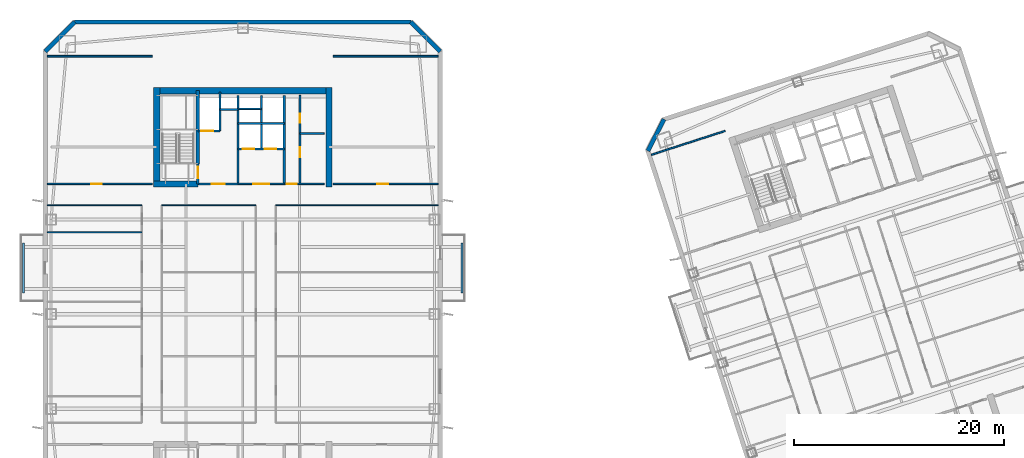
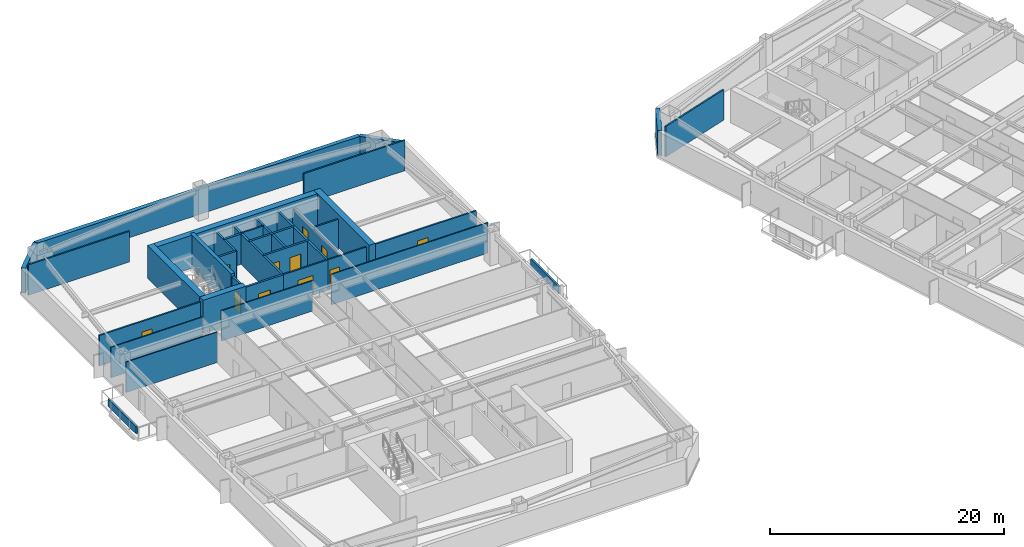
# One storey, part 7 of 17: 35 walls, 11 doors, 11 openings.
"""IFC4 building model written with IfcOpenShell, lengths in metres."""

from ifc_helpers import new_model, si_unit, direction, frame, frame_2d, origin, place, context, subcontext, project, spatial, rectangle, extrude, material, layer, layer_set, type_object, element, fill, save


model = new_model("IFC4")

# Units and contexts
model_context = context("Model", 3, precision=1e-05, world=origin(), true_north=direction((0.0, 1.0)))
body_context = subcontext(model_context, "Body", "Model", "MODEL_VIEW")
ifc_project = project(units=[si_unit("LENGTHUNIT", "METRE"), si_unit("AREAUNIT", "SQUARE_METRE"), si_unit("VOLUMEUNIT", "CUBIC_METRE"), si_unit("PLANEANGLEUNIT", "RADIAN"), si_unit("MASSUNIT", "GRAM", prefix="KILO")], contexts=[model_context])

# Site, building, storey
site_placement = place(None, origin())
site = spatial("IfcSite", under=ifc_project, at=site_placement, CompositionType="ELEMENT")
building_placement = place(site_placement, origin())
building = spatial("IfcBuilding", under=site, at=building_placement, Name="Qiaolan Cultural Towers", CompositionType="ELEMENT")
storey_placement = place(building_placement, frame((0.0, 0.0, 142.60009765625)))
storey = spatial("IfcBuildingStorey", under=building, at=storey_placement, Name="L37", CompositionType="ELEMENT", Elevation=142.60009765625)

# Walls
ifc_material_1 = material(Name="Concrete C50", Category="concrete")
ifc_layer_1 = layer(ifc_material_1, 0.35009765625)
ifc_layer_set_1 = layer_set([ifc_layer_1], Name="Concrete C50")
wall_type_1 = type_object("IfcWallType", Name="WL-CORE-350", PredefinedType="SHEAR", material=ifc_layer_set_1)
wall_1_placement = place(storey_placement, frame((25.719970703125, 48.300048828125, 0.0), z_axis=(0.0, 0.0, 1.0), x_axis=(0.0, 1.0, 0.0)))
element("IfcWall", 1, at=wall_1_placement, inside=storey, type_object=wall_type_1, Name="L37 T1-CN Stair Core Dividing Web", PredefinedType="SHEAR", context=body_context, shape_type="SweptSolid", body=[
    extrude(rectangle(XDim=6.97998046875, YDim=0.35009765625, at=frame_2d((3.489990234375, 0.0))), origin(), (0.0, 0.0, 1.0), 3.449951171875),
])
ifc_material_2 = material(Name="Concrete C55", Category="concrete")
ifc_layer_2 = layer(ifc_material_2, 0.60009765625)
ifc_layer_set_2 = layer_set([ifc_layer_2], Name="Concrete C55")
wall_type_2 = type_object("IfcWallType", Name="WL-CORE-600", PredefinedType="SHEAR", material=ifc_layer_set_2)
wall_2_placement = place(storey_placement, frame((21.5, 55.280029296875, 0.0), z_axis=(0.0, 0.0, 1.0), x_axis=(1.0, 0.0, 0.0)))
element("IfcWall", 2, at=wall_2_placement, inside=storey, type_object=wall_type_2, Name="L37 T1-CN Outer Core Shear Wall", PredefinedType="SHEAR", context=body_context, shape_type="SweptSolid", body=[
    extrude(rectangle(XDim=17.0, YDim=0.60009765625, at=frame_2d((8.5, 0.0))), origin(), (0.0, 0.0, 1.0), 3.449951171875),
])
for number, where, z_axis, x_axis, name in (
    (3, (21.800048828125, 46.10009765625, 0.0), (0.0, 0.0, 1.0), (0.0, 1.0, 0.0), "L37 T1-CN West Core Shear Wall"),
    (4, (38.199951171875, 46.10009765625, 0.0), (0.0, 0.0, 1.0), (0.0, 1.0, 0.0), "L37 T1-CN East Core Shear Wall"),
):
    element("IfcWall", number, at=place(storey_placement, frame(where, z_axis=z_axis, x_axis=x_axis)), inside=storey, type_object=wall_type_2, Name=name, PredefinedType="SHEAR", context=body_context, shape_type="SweptSolid", body=[
        extrude(rectangle(XDim=9.47998046875, YDim=0.60009765625, at=frame_2d((4.739990234375, 0.0))), origin(), (0.0, 0.0, 1.0), 3.449951171875),
    ])
wall_3_placement = place(storey_placement, frame((21.5, 46.39990234375, 0.0), z_axis=(0.0, 0.0, 1.0), x_axis=(1.0, 0.0, 0.0)))
element("IfcWall", 5, at=wall_3_placement, inside=storey, type_object=wall_type_2, Name="L37 T1-CN Stair Front Shear Wall", PredefinedType="SHEAR", context=body_context, shape_type="SweptSolid", body=[
    extrude(rectangle(XDim=4.219970703125, YDim=0.60009765625, at=frame_2d((2.10986328125, 0.0))), origin(), (0.0, 0.0, 1.0), 3.449951171875),
])
ifc_material_3 = material(Name="Precast Concrete C50 Honed Stone Pier", Category="masonry")
ifc_layer_3 = layer(ifc_material_3, 0.39990234375)
ifc_layer_set_3 = layer_set([ifc_layer_3], Name="Precast Concrete C50 Honed Stone Pier")
wall_type_3 = type_object("IfcWallType", Name="WL-EXT-PIER-400", PredefinedType="SOLIDWALL", material=ifc_layer_set_3)
wall_4_placement = place(storey_placement, frame((11.199951171875, 59.0, 0.0), z_axis=(0.0, 0.0, 1.0), x_axis=(0.707106781187, 0.707106781187, 0.0)))
element("IfcWall", 6, at=wall_4_placement, inside=storey, type_object=wall_type_3, Name="L37 West Tower Precast Pier Facade Wall F2", PredefinedType="SOLIDWALL", context=body_context, shape_type="SweptSolid", body=[
    extrude(rectangle(XDim=3.9599609375, YDim=0.39990234375, at=frame_2d((1.97998046875, 0.0))), origin(), (0.0, 0.0, 1.0), 2.60986328125),
])
wall_5_placement = place(storey_placement, frame((14.0, 61.800048828125, 0.0), z_axis=(0.0, 0.0, 1.0), x_axis=(1.0, 0.0, 0.0)))
element("IfcWall", 7, at=wall_5_placement, inside=storey, type_object=wall_type_3, Name="L37 West Tower Precast Pier Facade Wall F3", PredefinedType="SOLIDWALL", context=body_context, shape_type="SweptSolid", body=[
    extrude(rectangle(XDim=32.0, YDim=0.39990234375, at=frame_2d((16.0, 0.0))), origin(), (0.0, 0.0, 1.0), 2.60986328125),
])
wall_6_placement = place(storey_placement, frame((46.0, 61.800048828125, 0.0), z_axis=(0.0, 0.0, 1.0), x_axis=(0.707106781187, -0.707106781187, 0.0)))
element("IfcWall", 8, at=wall_6_placement, inside=storey, type_object=wall_type_3, Name="L37 West Tower Precast Pier Facade Wall F4", PredefinedType="SOLIDWALL", context=body_context, shape_type="SweptSolid", body=[
    extrude(rectangle(XDim=3.9599609375, YDim=0.39990234375, at=frame_2d((1.97998046875, 0.0))), origin(), (0.0, 0.0, 1.0), 2.60986328125),
])
wall_7_placement = place(storey_placement, frame((68.550537109375, 49.531982421875, 0.0), z_axis=(0.0, 0.0, 1.0), x_axis=(0.454019523198, 0.890991735402, 0.0)))
element("IfcWall", 9, at=wall_7_placement, inside=storey, type_object=wall_type_3, Name="L37 East Tower Precast Pier Facade Wall F2", PredefinedType="SOLIDWALL", context=body_context, shape_type="SweptSolid", body=[
    extrude(rectangle(XDim=3.39404296875, YDim=0.39990234375, at=frame_2d((1.697021484375, 0.0))), origin(), (0.0, 0.0, 1.0), 2.60986328125),
])

# Wall, opening, door
ifc_material_4 = material(Name="Concrete C35 Fire Wall", Category="concrete")
ifc_layer_4 = layer(ifc_material_4, 0.199951171875)
ifc_layer_set_4 = layer_set([ifc_layer_4], Name="Concrete C35 Fire Wall")
wall_type_4 = type_object("IfcWallType", Name="WL-FIRE-200", PredefinedType="PARTITIONING", material=ifc_layer_set_4)
wall_8_placement = place(storey_placement, frame((25.719970703125, 46.39990234375, 0.0), z_axis=(0.0, 0.0, 1.0), x_axis=(0.0, 1.0, 0.0)))
wall_8 = element("IfcWall", 10, at=wall_8_placement, inside=storey, type_object=wall_type_4, Name="L37 T1-CN Smokeproof Stair Entry Wall", PredefinedType="PARTITIONING", context=body_context, shape_type="SweptSolid", body=[
    extrude(rectangle(XDim=1.900146484375, YDim=0.199951171875, at=frame_2d((0.9501953125, 0.0))), origin(), (0.0, 0.0, 1.0), 3.1748046875),
])
opening_1_placement = place(wall_8_placement, frame((0.52001953125, 0.0, 0.0)))
opening_1 = element("IfcOpeningElement", 11, at=opening_1_placement, cuts=wall_8, Name="Opening FD-04", PredefinedType="OPENING", context=body_context, shape_type="SweptSolid", body=[
    extrude(rectangle(XDim=1.10009765625, YDim=2.050048828125, at=frame_2d((0.550048828125, 1.02490234375))), frame((0.0, 0.10986328125, 0.0), z_axis=(0.0, -1.0, 0.0), x_axis=(1.0, 0.0, 0.0)), (0.0, 0.0, 1.0), 0.219970703125),
])
ifc_material_5 = material(Name="Galvanized Steel Command Fire Door", Category="steel")
door_type_1 = type_object("IfcDoorType", Name="DR-FD90-1100", OperationType="NOTDEFINED", PredefinedType="DOOR", material=ifc_material_5)
door_1_placement = place(opening_1_placement, origin())
door_1 = element("IfcDoor", 12, at=door_1_placement, inside=storey, type_object=door_type_1, Name="L37 ST-W2 Smokeproof Stair Fire Door", OperationType="SINGLE_SWING_LEFT", OverallHeight=2.050048828125, OverallWidth=1.10009765625, PredefinedType="DOOR", context=body_context, shape_type="SweptSolid", body=[
    extrude(rectangle(XDim=1.10009765625, YDim=2.050048828125, at=frame_2d((0.550048828125, 1.02490234375))), frame((0.0, 0.02490234375, 0.0), z_axis=(0.0, -1.0, 0.0), x_axis=(1.0, 0.0, 0.0)), (0.0, 0.0, 1.0), 0.050048828125),
])
fill(opening_1, door_1)

# Wall
wall_9_placement = place(storey_placement, frame((29.550048828125, 46.39990234375, 0.0), z_axis=(0.0, 0.0, 1.0), x_axis=(0.0, 1.0, 0.0)))
element("IfcWall", 13, at=wall_9_placement, inside=storey, type_object=wall_type_4, Name="L37 T1-CN Firefighting Zone Wall", PredefinedType="PARTITIONING", context=body_context, shape_type="SweptSolid", body=[
    extrude(rectangle(XDim=8.43017578125, YDim=0.199951171875, at=frame_2d((4.215087890625, 0.0))), origin(), (0.0, 0.0, 1.0), 3.1748046875),
])

# Wall, opening, door
wall_10_placement = place(storey_placement, frame((25.719970703125, 46.39990234375, 0.0), z_axis=(0.0, 0.0, 1.0), x_axis=(1.0, 0.0, 0.0)))
wall_10 = element("IfcWall", 14, at=wall_10_placement, inside=storey, type_object=wall_type_4, Name="L37 T1-CN Firefighting Lobby Front Wall", PredefinedType="PARTITIONING", context=body_context, shape_type="SweptSolid", body=[
    extrude(rectangle(XDim=3.830078125, YDim=0.199951171875, at=frame_2d((1.9150390625, 0.0))), origin(), (0.0, 0.0, 1.0), 3.1748046875),
])
opening_2_placement = place(wall_10_placement, frame((1.35009765625, 0.0, 0.0)))
opening_2 = element("IfcOpeningElement", 15, at=opening_2_placement, cuts=wall_10, Name="Opening FD-03", PredefinedType="OPENING", context=body_context, shape_type="SweptSolid", body=[
    extrude(rectangle(XDim=1.199951171875, YDim=2.050048828125, at=frame_2d((0.60009765625, 1.02490234375))), frame((0.0, 0.10986328125, 0.0), z_axis=(0.0, -1.0, 0.0), x_axis=(1.0, 0.0, 0.0)), (0.0, 0.0, 1.0), 0.219970703125),
])
ifc_material_6 = material(Name="Galvanized Steel Smokeproof Lobby Fire Door", Category="steel")
door_type_2 = type_object("IfcDoorType", Name="DR-FD90-1200", OperationType="NOTDEFINED", PredefinedType="DOOR", material=ifc_material_6)
door_2_placement = place(opening_2_placement, origin())
door_2 = element("IfcDoor", 16, at=door_2_placement, inside=storey, type_object=door_type_2, Name="L37 FFL-W2 Firefighting Lobby Fire Door", OperationType="SINGLE_SWING_LEFT", OverallHeight=2.050048828125, OverallWidth=1.199951171875, PredefinedType="DOOR", context=body_context, shape_type="SweptSolid", body=[
    extrude(rectangle(XDim=1.199951171875, YDim=2.050048828125, at=frame_2d((0.60009765625, 1.02490234375))), frame((0.0, 0.02490234375, 0.0), z_axis=(0.0, -1.0, 0.0), x_axis=(1.0, 0.0, 0.0)), (0.0, 0.0, 1.0), 0.050048828125),
])
fill(opening_2, door_2)

wall_11_placement = place(storey_placement, frame((25.719970703125, 51.449951171875, 0.0), z_axis=(0.0, 0.0, 1.0), x_axis=(1.0, 0.0, 0.0)))
wall_11 = element("IfcWall", 17, at=wall_11_placement, inside=storey, type_object=wall_type_4, Name="L37 T1-CN Firefighting Shaft Front Wall", PredefinedType="PARTITIONING", context=body_context, shape_type="SweptSolid", body=[
    extrude(rectangle(XDim=2.10009765625, YDim=0.199951171875, at=frame_2d((1.050048828125, 0.0))), origin(), (0.0, 0.0, 1.0), 3.1748046875),
])
opening_3_placement = place(wall_11_placement, frame((0.35009765625, 0.0, 0.0)))
opening_3 = element("IfcOpeningElement", 18, at=opening_3_placement, cuts=wall_11, Name="Opening LD-01", PredefinedType="OPENING", context=body_context, shape_type="SweptSolid", body=[
    extrude(rectangle(XDim=1.10009765625, YDim=2.050048828125, at=frame_2d((0.550048828125, 1.02490234375))), frame((0.0, 0.10986328125, 0.0), z_axis=(0.0, -1.0, 0.0), x_axis=(1.0, 0.0, 0.0)), (0.0, 0.0, 1.0), 0.219970703125),
])
ifc_material_7 = material(Name="Brushed Stainless Steel S30408 Centre-Parting Lift Landing Door", Category="steel")
door_type_3 = type_object("IfcDoorType", Name="DR-LIFT-1100", OperationType="NOTDEFINED", PredefinedType="DOOR", material=ifc_material_7)
door_3_placement = place(opening_3_placement, origin())
door_3 = element("IfcDoor", 19, at=door_3_placement, inside=storey, type_object=door_type_3, Name="L37 FFL-W2 Firefighting Lift Landing Door", OperationType="DOUBLE_DOOR_SLIDING", OverallHeight=2.050048828125, OverallWidth=1.10009765625, PredefinedType="DOOR", context=body_context, shape_type="SweptSolid", body=[
    extrude(rectangle(XDim=1.10009765625, YDim=2.050048828125, at=frame_2d((0.550048828125, 1.02490234375))), frame((0.0, 0.02490234375, 0.0), z_axis=(0.0, -1.0, 0.0), x_axis=(1.0, 0.0, 0.0)), (0.0, 0.0, 1.0), 0.050048828125),
])
fill(opening_3, door_3)

# Walls
wall_12_placement = place(storey_placement, frame((27.820068359375, 51.449951171875, 0.0), z_axis=(0.0, 0.0, 1.0), x_axis=(0.0, 1.0, 0.0)))
element("IfcWall", 20, at=wall_12_placement, inside=storey, type_object=wall_type_4, Name="L37 T1-CN Firefighting Hoistway East Wall", PredefinedType="PARTITIONING", context=body_context, shape_type="SweptSolid", body=[
    extrude(rectangle(XDim=3.699951171875, YDim=0.199951171875, at=frame_2d((1.85009765625, 0.0))), origin(), (0.0, 0.0, 1.0), 3.1748046875),
])
wall_13_placement = place(storey_placement, frame((27.820068359375, 53.47998046875, 0.0), z_axis=(0.0, 0.0, 1.0), x_axis=(1.0, 0.0, 0.0)))
element("IfcWall", 21, at=wall_13_placement, inside=storey, type_object=wall_type_4, Name="L37 T1-CN Pressurization Shaft Front Wall", PredefinedType="PARTITIONING", context=body_context, shape_type="SweptSolid", body=[
    extrude(rectangle(XDim=1.72998046875, YDim=0.199951171875, at=frame_2d((0.864990234375, 0.0))), origin(), (0.0, 0.0, 1.0), 3.1748046875),
])
wall_14_placement = place(storey_placement, frame((33.949951171875, 46.39990234375, 0.0), z_axis=(0.0, 0.0, 1.0), x_axis=(0.0, 1.0, 0.0)))
element("IfcWall", 22, at=wall_14_placement, inside=storey, type_object=wall_type_4, Name="L37 T1-CN Lift Core East Wall", PredefinedType="PARTITIONING", context=body_context, shape_type="SweptSolid", body=[
    extrude(rectangle(XDim=8.43017578125, YDim=0.199951171875, at=frame_2d((4.215087890625, 0.0))), origin(), (0.0, 0.0, 1.0), 3.1748046875),
])

# Wall, openings, doors
wall_15_placement = place(storey_placement, frame((29.550048828125, 49.719970703125, 0.0), z_axis=(0.0, 0.0, 1.0), x_axis=(1.0, 0.0, 0.0)))
wall_15 = element("IfcWall", 23, at=wall_15_placement, inside=storey, type_object=wall_type_4, Name="L37 T1-CN Passenger Lift Shaft Front Wall", PredefinedType="PARTITIONING", context=body_context, shape_type="SweptSolid", body=[
    extrude(rectangle(XDim=4.39990234375, YDim=0.199951171875, at=frame_2d((2.199951171875, 0.0))), origin(), (0.0, 0.0, 1.0), 3.1748046875),
])
opening_4_placement = place(wall_15_placement, frame((0.449951171875, 0.0, 0.0)))
opening_4 = element("IfcOpeningElement", 24, at=opening_4_placement, cuts=wall_15, Name="Opening LD-01", PredefinedType="OPENING", context=body_context, shape_type="SweptSolid", body=[
    extrude(rectangle(XDim=1.10009765625, YDim=2.050048828125, at=frame_2d((0.550048828125, 1.02490234375))), frame((0.0, 0.10986328125, 0.0), z_axis=(0.0, -1.0, 0.0), x_axis=(1.0, 0.0, 0.0)), (0.0, 0.0, 1.0), 0.219970703125),
])
opening_5_placement = place(wall_15_placement, frame((2.550048828125, 0.0, 0.0)))
opening_5 = element("IfcOpeningElement", 25, at=opening_5_placement, cuts=wall_15, Name="Opening LD-01", PredefinedType="OPENING", context=body_context, shape_type="SweptSolid", body=[
    extrude(rectangle(XDim=1.10009765625, YDim=2.050048828125, at=frame_2d((0.550048828125, 1.02490234375))), frame((0.0, 0.10986328125, 0.0), z_axis=(0.0, -1.0, 0.0), x_axis=(1.0, 0.0, 0.0)), (0.0, 0.0, 1.0), 0.219970703125),
])
door_4_placement = place(opening_4_placement, origin())
door_4 = element("IfcDoor", 26, at=door_4_placement, inside=storey, type_object=door_type_3, Name="L37 Passenger Lift 1 Landing Door", OperationType="DOUBLE_DOOR_SLIDING", OverallHeight=2.050048828125, OverallWidth=1.10009765625, PredefinedType="DOOR", context=body_context, shape_type="SweptSolid", body=[
    extrude(rectangle(XDim=1.10009765625, YDim=2.050048828125, at=frame_2d((0.550048828125, 1.02490234375))), frame((0.0, 0.02490234375, 0.0), z_axis=(0.0, -1.0, 0.0), x_axis=(1.0, 0.0, 0.0)), (0.0, 0.0, 1.0), 0.050048828125),
])
fill(opening_4, door_4)
door_5_placement = place(opening_5_placement, origin())
door_5 = element("IfcDoor", 27, at=door_5_placement, inside=storey, type_object=door_type_3, Name="L37 Passenger Lift 2 Landing Door", OperationType="DOUBLE_DOOR_SLIDING", OverallHeight=2.050048828125, OverallWidth=1.10009765625, PredefinedType="DOOR", context=body_context, shape_type="SweptSolid", body=[
    extrude(rectangle(XDim=1.10009765625, YDim=2.050048828125, at=frame_2d((0.550048828125, 1.02490234375))), frame((0.0, 0.02490234375, 0.0), z_axis=(0.0, -1.0, 0.0), x_axis=(1.0, 0.0, 0.0)), (0.0, 0.0, 1.0), 0.050048828125),
])
fill(opening_5, door_5)

# Walls
wall_16_placement = place(storey_placement, frame((31.780029296875, 49.719970703125, 0.0), z_axis=(0.0, 0.0, 1.0), x_axis=(0.0, 1.0, 0.0)))
element("IfcWall", 28, at=wall_16_placement, inside=storey, type_object=wall_type_4, Name="L37 T1-CN Lift Shaft Divider Wall", PredefinedType="PARTITIONING", context=body_context, shape_type="SweptSolid", body=[
    extrude(rectangle(XDim=5.110107421875, YDim=0.199951171875, at=frame_2d((2.55517578125, 0.0))), origin(), (0.0, 0.0, 1.0), 3.1748046875),
])
wall_17_placement = place(storey_placement, frame((29.550048828125, 52.14990234375, 0.0), z_axis=(0.0, 0.0, 1.0), x_axis=(1.0, 0.0, 0.0)))
element("IfcWall", 29, at=wall_17_placement, inside=storey, type_object=wall_type_4, Name="L37 T1-CN Passenger Lift Shaft Back Wall", PredefinedType="PARTITIONING", context=body_context, shape_type="SweptSolid", body=[
    extrude(rectangle(XDim=4.39990234375, YDim=0.199951171875, at=frame_2d((2.199951171875, 0.0))), origin(), (0.0, 0.0, 1.0), 3.1748046875),
])
ifc_material_8 = material(Name="Acoustic Double-Glazed Partition Frame", Category="glass")
ifc_layer_5 = layer(ifc_material_8, 0.10009765625)
ifc_layer_set_5 = layer_set([ifc_layer_5], Name="Acoustic Double-Glazed Partition Frame")
wall_type_5 = type_object("IfcWallType", Name="WL-GLAZED-100", PredefinedType="MOVABLE", material=ifc_layer_set_5)
wall_18_placement = place(storey_placement, frame((11.39990234375, 44.35009765625, 0.0), z_axis=(0.0, 0.0, 1.0), x_axis=(1.0, 0.0, 0.0)))
element("IfcWall", 30, at=wall_18_placement, inside=storey, type_object=wall_type_5, Name="L37 T1 Interior Wall", PredefinedType="MOVABLE", context=body_context, shape_type="SweptSolid", body=[
    extrude(rectangle(XDim=9.0, YDim=0.10009765625, at=frame_2d((4.5, 0.0))), origin(), (0.0, 0.0, 1.0), 3.1748046875),
])
wall_19_placement = place(storey_placement, frame((22.300048828125, 44.35009765625, 0.0), z_axis=(0.0, 0.0, 1.0), x_axis=(1.0, 0.0, 0.0)))
element("IfcWall", 31, at=wall_19_placement, inside=storey, type_object=wall_type_5, Name="L37 T1 Interior Wall", PredefinedType="MOVABLE", context=body_context, shape_type="SweptSolid", body=[
    extrude(rectangle(XDim=8.949951171875, YDim=0.10009765625, at=frame_2d((4.47509765625, 0.0))), origin(), (0.0, 0.0, 1.0), 3.1748046875),
])
wall_20_placement = place(storey_placement, frame((33.14990234375, 44.35009765625, 0.0), z_axis=(0.0, 0.0, 1.0), x_axis=(1.0, 0.0, 0.0)))
element("IfcWall", 32, at=wall_20_placement, inside=storey, type_object=wall_type_5, Name="L37 T1 Interior Wall", PredefinedType="MOVABLE", context=body_context, shape_type="SweptSolid", body=[
    extrude(rectangle(XDim=15.4501953125, YDim=0.10009765625, at=frame_2d((7.72509765625, 0.0))), origin(), (0.0, 0.0, 1.0), 3.1748046875),
])
wall_21_placement = place(storey_placement, frame((11.39990234375, 41.800048828125, 0.0), z_axis=(0.0, 0.0, 1.0), x_axis=(1.0, 0.0, 0.0)))
element("IfcWall", 33, at=wall_21_placement, inside=storey, type_object=wall_type_5, Name="L37 T1 Interior Wall", PredefinedType="MOVABLE", context=body_context, shape_type="SweptSolid", body=[
    extrude(rectangle(XDim=9.0, YDim=0.10009765625, at=frame_2d((4.5, 0.0))), origin(), (0.0, 0.0, 1.0), 3.1748046875),
])

# Wall, opening, door
ifc_material_9 = material(Name="Autoclaved Aerated Concrete Block B06", Category="concrete")
ifc_layer_6 = layer(ifc_material_9, 0.14990234375)
ifc_layer_set_6 = layer_set([ifc_layer_6], Name="Autoclaved Aerated Concrete Block B06")
wall_type_6 = type_object("IfcWallType", Name="WL-PART-150", PredefinedType="PARTITIONING", material=ifc_layer_set_6)
wall_22_placement = place(storey_placement, frame((29.550048828125, 46.39990234375, 0.0), z_axis=(0.0, 0.0, 1.0), x_axis=(1.0, 0.0, 0.0)))
wall_22 = element("IfcWall", 34, at=wall_22_placement, inside=storey, type_object=wall_type_6, Name="L37 T1-CN Passenger Lift Lobby Front Wall", PredefinedType="PARTITIONING", context=body_context, shape_type="SweptSolid", body=[
    extrude(rectangle(XDim=4.39990234375, YDim=0.14990234375, at=frame_2d((2.199951171875, 0.0))), origin(), (0.0, 0.0, 1.0), 3.1748046875),
])
opening_6_placement = place(wall_22_placement, frame((1.449951171875, 0.0, 0.0)))
opening_6 = element("IfcOpeningElement", 35, at=opening_6_placement, cuts=wall_22, Name="Opening FD-05", PredefinedType="OPENING", context=body_context, shape_type="SweptSolid", body=[
    extrude(rectangle(XDim=1.5, YDim=2.050048828125, at=frame_2d((0.75, 1.02490234375))), frame((0.0, 0.0849609375, 0.0), z_axis=(0.0, -1.0, 0.0), x_axis=(1.0, 0.0, 0.0)), (0.0, 0.0, 1.0), 0.169921875),
])
ifc_material_10 = material(Name="Painted Steel Lift Lobby Fire Door", Category="steel")
door_type_4 = type_object("IfcDoorType", Name="DR-FD60-1500", OperationType="NOTDEFINED", PredefinedType="DOOR", material=ifc_material_10)
door_6_placement = place(opening_6_placement, origin())
door_6 = element("IfcDoor", 36, at=door_6_placement, inside=storey, type_object=door_type_4, Name="L37 Passenger Lift Lobby Entrance", OperationType="SINGLE_SWING_LEFT", OverallHeight=2.050048828125, OverallWidth=1.5, PredefinedType="DOOR", context=body_context, shape_type="SweptSolid", body=[
    extrude(rectangle(XDim=1.5, YDim=2.050048828125, at=frame_2d((0.75, 1.02490234375))), frame((0.0, 0.02490234375, 0.0), z_axis=(0.0, -1.0, 0.0), x_axis=(1.0, 0.0, 0.0)), (0.0, 0.0, 1.0), 0.050048828125),
])
fill(opening_6, door_6)

# Wall
wall_23_placement = place(storey_placement, frame((29.550048828125, 53.550048828125, 0.0), z_axis=(0.0, 0.0, 1.0), x_axis=(1.0, 0.0, 0.0)))
element("IfcWall", 37, at=wall_23_placement, inside=storey, type_object=wall_type_6, Name="L37 T1-CN Core Rear Riser Split", PredefinedType="PARTITIONING", context=body_context, shape_type="SweptSolid", body=[
    extrude(rectangle(XDim=2.22998046875, YDim=0.14990234375, at=frame_2d((1.114990234375, 0.0))), origin(), (0.0, 0.0, 1.0), 3.1748046875),
])

# Wall, opening, door
wall_24_placement = place(storey_placement, frame((33.949951171875, 46.39990234375, 0.0), z_axis=(0.0, 0.0, 1.0), x_axis=(1.0, 0.0, 0.0)))
wall_24 = element("IfcWall", 38, at=wall_24_placement, inside=storey, type_object=wall_type_6, Name="L37 T1-CN Sanitary Core Front Wall", PredefinedType="PARTITIONING", context=body_context, shape_type="SweptSolid", body=[
    extrude(rectangle(XDim=3.800048828125, YDim=0.14990234375, at=frame_2d((1.89990234375, 0.0))), origin(), (0.0, 0.0, 1.0), 3.1748046875),
])
opening_7_placement = place(wall_24_placement, frame((0.219970703125, 0.0, 0.0)))
opening_7 = element("IfcOpeningElement", 39, at=opening_7_placement, cuts=wall_24, Name="Opening ID-05", PredefinedType="OPENING", context=body_context, shape_type="SweptSolid", body=[
    extrude(rectangle(XDim=0.949951171875, YDim=2.050048828125, at=frame_2d((0.47509765625, 1.02490234375))), frame((0.0, 0.0849609375, 0.0), z_axis=(0.0, -1.0, 0.0), x_axis=(1.0, 0.0, 0.0)), (0.0, 0.0, 1.0), 0.169921875),
])
ifc_material_11 = material(Name="Fire-Rated Laminate Accessible Core Door", Category="timber")
door_type_5 = type_object("IfcDoorType", Name="DR-INT-950", OperationType="NOTDEFINED", PredefinedType="DOOR", material=ifc_material_11)
door_7_placement = place(opening_7_placement, origin())
door_7 = element("IfcDoor", 40, at=door_7_placement, inside=storey, type_object=door_type_5, Name="L37 Sanitary Lobby Door", OperationType="SINGLE_SWING_LEFT", OverallHeight=2.050048828125, OverallWidth=0.949951171875, PredefinedType="DOOR", context=body_context, shape_type="SweptSolid", body=[
    extrude(rectangle(XDim=0.949951171875, YDim=2.050048828125, at=frame_2d((0.47509765625, 1.02490234375))), frame((0.0, 0.02490234375, 0.0), z_axis=(0.0, -1.0, 0.0), x_axis=(1.0, 0.0, 0.0)), (0.0, 0.0, 1.0), 0.050048828125),
])
fill(opening_7, door_7)

# Wall, openings, doors
wall_25_placement = place(storey_placement, frame((35.449951171875, 46.39990234375, 0.0), z_axis=(0.0, 0.0, 1.0), x_axis=(0.0, 1.0, 0.0)))
wall_25 = element("IfcWall", 41, at=wall_25_placement, inside=storey, type_object=wall_type_6, Name="L37 T1-CN Washroom Split Wall", PredefinedType="PARTITIONING", context=body_context, shape_type="SweptSolid", body=[
    extrude(rectangle(XDim=8.43017578125, YDim=0.14990234375, at=frame_2d((4.215087890625, 0.0))), origin(), (0.0, 0.0, 1.0), 2.81494140625),
])
opening_8_placement = place(wall_25_placement, frame((2.550048828125, 0.0, 0.0)))
opening_8 = element("IfcOpeningElement", 42, at=opening_8_placement, cuts=wall_25, Name="Opening ID-05", PredefinedType="OPENING", context=body_context, shape_type="SweptSolid", body=[
    extrude(rectangle(XDim=0.949951171875, YDim=2.050048828125, at=frame_2d((0.47509765625, 1.02490234375))), frame((0.0, 0.0849609375, 0.0), z_axis=(0.0, -1.0, 0.0), x_axis=(1.0, 0.0, 0.0)), (0.0, 0.0, 1.0), 0.169921875),
])
opening_9_placement = place(wall_25_placement, frame((5.800048828125, 0.0, 0.0)))
opening_9 = element("IfcOpeningElement", 43, at=opening_9_placement, cuts=wall_25, Name="Opening ID-06", PredefinedType="OPENING", context=body_context, shape_type="SweptSolid", body=[
    extrude(rectangle(XDim=0.89990234375, YDim=2.050048828125, at=frame_2d((0.449951171875, 1.02490234375))), frame((0.0, 0.0849609375, 0.0), z_axis=(0.0, -1.0, 0.0), x_axis=(1.0, 0.0, 0.0)), (0.0, 0.0, 1.0), 0.169921875),
])
ifc_material_12 = material(Name="Fire-Rated Laminate Core Service Door", Category="timber")
door_type_6 = type_object("IfcDoorType", Name="DR-INT-900", OperationType="NOTDEFINED", PredefinedType="DOOR", material=ifc_material_12)
door_8_placement = place(opening_9_placement, origin())
door_8 = element("IfcDoor", 44, at=door_8_placement, inside=storey, type_object=door_type_6, Name="L37 First-Aid Room Door", OperationType="SINGLE_SWING_RIGHT", OverallHeight=2.050048828125, OverallWidth=0.89990234375, PredefinedType="DOOR", context=body_context, shape_type="SweptSolid", body=[
    extrude(rectangle(XDim=0.89990234375, YDim=2.050048828125, at=frame_2d((0.449951171875, 1.02490234375))), frame((0.0, 0.02490234375, 0.0), z_axis=(0.0, -1.0, 0.0), x_axis=(1.0, 0.0, 0.0)), (0.0, 0.0, 1.0), 0.050048828125),
])
fill(opening_9, door_8)
door_9_placement = place(opening_8_placement, origin())
door_9 = element("IfcDoor", 45, at=door_9_placement, inside=storey, type_object=door_type_5, Name="L37 Accessible Washroom Door", OperationType="SINGLE_SWING_LEFT", OverallHeight=2.050048828125, OverallWidth=0.949951171875, PredefinedType="DOOR", context=body_context, shape_type="SweptSolid", body=[
    extrude(rectangle(XDim=0.949951171875, YDim=2.050048828125, at=frame_2d((0.47509765625, 1.02490234375))), frame((0.0, 0.02490234375, 0.0), z_axis=(0.0, -1.0, 0.0), x_axis=(1.0, 0.0, 0.0)), (0.0, 0.0, 1.0), 0.050048828125),
])
fill(opening_8, door_9)

# Walls
wall_26_placement = place(storey_placement, frame((35.449951171875, 51.199951171875, 0.0), z_axis=(0.0, 0.0, 1.0), x_axis=(1.0, 0.0, 0.0)))
element("IfcWall", 46, at=wall_26_placement, inside=storey, type_object=wall_type_6, Name="L37 T1-CN First-Aid Wall", PredefinedType="PARTITIONING", context=body_context, shape_type="SweptSolid", body=[
    extrude(rectangle(XDim=2.300048828125, YDim=0.14990234375, at=frame_2d((1.14990234375, 0.0))), origin(), (0.0, 0.0, 1.0), 3.1748046875),
])
wall_27_placement = place(storey_placement, frame((11.39990234375, 58.550048828125, 0.0), z_axis=(0.0, 0.0, 1.0), x_axis=(1.0, 0.0, 0.0)))
element("IfcWall", 47, at=wall_27_placement, inside=storey, type_object=wall_type_6, Name="L37 T1 Flank Wall FLK-NW", PredefinedType="PARTITIONING", context=body_context, shape_type="SweptSolid", body=[
    extrude(rectangle(XDim=10.0, YDim=0.14990234375, at=frame_2d((5.0, 0.0))), origin(), (0.0, 0.0, 1.0), 3.1748046875),
])

# Wall, opening, door
wall_28_placement = place(storey_placement, frame((11.39990234375, 46.39990234375, 0.0), z_axis=(0.0, 0.0, 1.0), x_axis=(1.0, 0.0, 0.0)))
wall_28 = element("IfcWall", 48, at=wall_28_placement, inside=storey, type_object=wall_type_6, Name="L37 T1 Flank Front FLK-NW", PredefinedType="PARTITIONING", context=body_context, shape_type="SweptSolid", body=[
    extrude(rectangle(XDim=10.0, YDim=0.14990234375, at=frame_2d((5.0, 0.0))), origin(), (0.0, 0.0, 1.0), 3.1748046875),
])
opening_10_placement = place(wall_28_placement, frame((4.199951171875, 0.0, 0.0)))
opening_10 = element("IfcOpeningElement", 49, at=opening_10_placement, cuts=wall_28, Name="Opening ID-04", PredefinedType="OPENING", context=body_context, shape_type="SweptSolid", body=[
    extrude(rectangle(XDim=1.0, YDim=2.050048828125, at=frame_2d((0.5, 1.02490234375))), frame((0.0, 0.0849609375, 0.0), z_axis=(0.0, -1.0, 0.0), x_axis=(1.0, 0.0, 0.0)), (0.0, 0.0, 1.0), 0.169921875),
])
ifc_material_13 = material(Name="Oak Veneer Acoustic Office Door", Category="timber")
door_type_7 = type_object("IfcDoorType", Name="DR-INT-1000", OperationType="NOTDEFINED", PredefinedType="DOOR", material=ifc_material_13)
door_10_placement = place(opening_10_placement, origin())
door_10 = element("IfcDoor", 50, at=door_10_placement, inside=storey, type_object=door_type_7, Name="L37 T1 Corner Studio Door", OperationType="SINGLE_SWING_LEFT", OverallHeight=2.050048828125, OverallWidth=1.0, PredefinedType="DOOR", context=body_context, shape_type="SweptSolid", body=[
    extrude(rectangle(XDim=1.0, YDim=2.050048828125, at=frame_2d((0.5, 1.02490234375))), frame((0.0, 0.02490234375, 0.0), z_axis=(0.0, -1.0, 0.0), x_axis=(1.0, 0.0, 0.0)), (0.0, 0.0, 1.0), 0.050048828125),
])
fill(opening_10, door_10)

# Wall
wall_29_placement = place(storey_placement, frame((38.60009765625, 58.550048828125, 0.0), z_axis=(0.0, 0.0, 1.0), x_axis=(1.0, 0.0, 0.0)))
element("IfcWall", 51, at=wall_29_placement, inside=storey, type_object=wall_type_6, Name="L37 T1 Flank Wall FLK-NE", PredefinedType="PARTITIONING", context=body_context, shape_type="SweptSolid", body=[
    extrude(rectangle(XDim=10.0, YDim=0.14990234375, at=frame_2d((5.0, 0.0))), origin(), (0.0, 0.0, 1.0), 3.1748046875),
])

# Wall, opening, door
wall_30_placement = place(storey_placement, frame((38.60009765625, 46.39990234375, 0.0), z_axis=(0.0, 0.0, 1.0), x_axis=(1.0, 0.0, 0.0)))
wall_30 = element("IfcWall", 52, at=wall_30_placement, inside=storey, type_object=wall_type_6, Name="L37 T1 Flank Front FLK-NE", PredefinedType="PARTITIONING", context=body_context, shape_type="SweptSolid", body=[
    extrude(rectangle(XDim=10.0, YDim=0.14990234375, at=frame_2d((5.0, 0.0))), origin(), (0.0, 0.0, 1.0), 3.1748046875),
])
opening_11_placement = place(wall_30_placement, frame((4.199951171875, 0.0, 0.0)))
opening_11 = element("IfcOpeningElement", 53, at=opening_11_placement, cuts=wall_30, Name="Opening ID-07", PredefinedType="OPENING", context=body_context, shape_type="SweptSolid", body=[
    extrude(rectangle(XDim=1.050048828125, YDim=2.050048828125, at=frame_2d((0.52490234375, 1.02490234375))), frame((0.0, 0.0849609375, 0.0), z_axis=(0.0, -1.0, 0.0), x_axis=(1.0, 0.0, 0.0)), (0.0, 0.0, 1.0), 0.169921875),
])
ifc_material_14 = material(Name="Oak Veneer Consultation Door", Category="timber")
door_type_8 = type_object("IfcDoorType", Name="DR-INT-1050", OperationType="NOTDEFINED", PredefinedType="DOOR", material=ifc_material_14)
door_11_placement = place(opening_11_placement, origin())
door_11 = element("IfcDoor", 54, at=door_11_placement, inside=storey, type_object=door_type_8, Name="L37 T1 Corner Studio Door", OperationType="SINGLE_SWING_LEFT", OverallHeight=2.050048828125, OverallWidth=1.050048828125, PredefinedType="DOOR", context=body_context, shape_type="SweptSolid", body=[
    extrude(rectangle(XDim=1.050048828125, YDim=2.050048828125, at=frame_2d((0.52490234375, 1.02490234375))), frame((0.0, 0.02490234375, 0.0), z_axis=(0.0, -1.0, 0.0), x_axis=(1.0, 0.0, 0.0)), (0.0, 0.0, 1.0), 0.050048828125),
])
fill(opening_11, door_11)

# Walls
wall_31_placement = place(storey_placement, frame((68.8798828125, 49.165771484375, 0.0), z_axis=(0.0, 0.0, 1.0), x_axis=(0.951060977215, 0.309003264738, 0.0)))
element("IfcWall", 55, at=wall_31_placement, inside=storey, type_object=wall_type_6, Name="L37 T2 Flank Wall FLK-NW", PredefinedType="PARTITIONING", context=body_context, shape_type="SweptSolid", body=[
    extrude(rectangle(XDim=7.39990234375, YDim=0.14990234375, at=frame_2d((3.699951171875, 0.0))), origin(), (0.0, 0.0, 1.0), 3.1748046875),
])
ifc_material_15 = material(Name="Precast Concrete C45 Tree Planter Upstand", Category="concrete")
ifc_layer_7 = layer(ifc_material_15, 0.199951171875)
ifc_layer_set_7 = layer_set([ifc_layer_7], Name="Precast Concrete C45 Tree Planter Upstand")
wall_type_7 = type_object("IfcWallType", Name="WL-PLANTER-200", PredefinedType="PARAPET", material=ifc_layer_set_7)
for number, where, z_axis, x_axis, name in (
    (56, (9.14990234375, 36.0, 0.0), (0.0, 0.0, 1.0), (0.0, 1.0, 0.0), "L37 T1 Tree Balcony Soil Planter Box W"),
    (57, (50.85009765625, 36.0, 0.0), (0.0, 0.0, 1.0), (0.0, 1.0, 0.0), "L37 T1 Tree Balcony Soil Planter Box E"),
):
    element("IfcWall", number, at=place(storey_placement, frame(where, z_axis=z_axis, x_axis=x_axis)), inside=storey, type_object=wall_type_7, Name=name, PredefinedType="PARAPET", context=body_context, shape_type="SweptSolid", body=[
        extrude(rectangle(XDim=4.800048828125, YDim=0.199951171875, at=frame_2d((2.39990234375, 0.0))), origin(), (0.0, 0.0, 1.0), 0.75),
    ])

save(model, "model.ifc")
